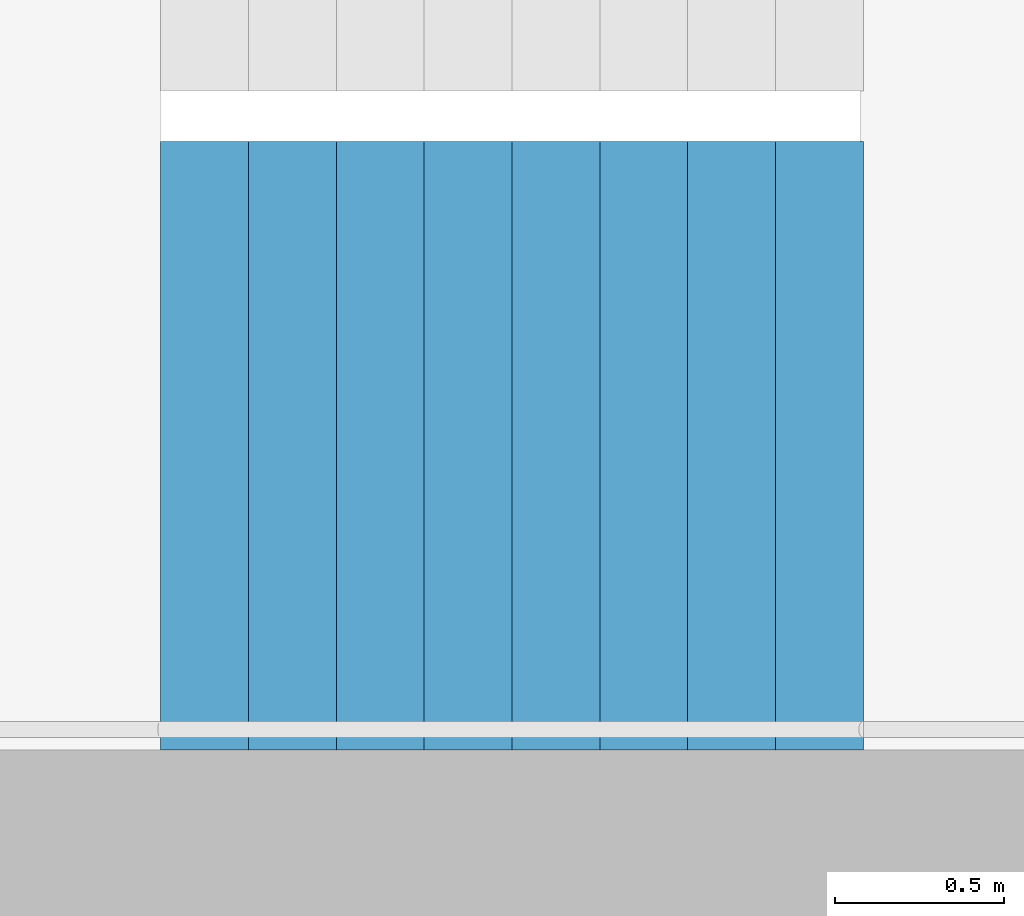
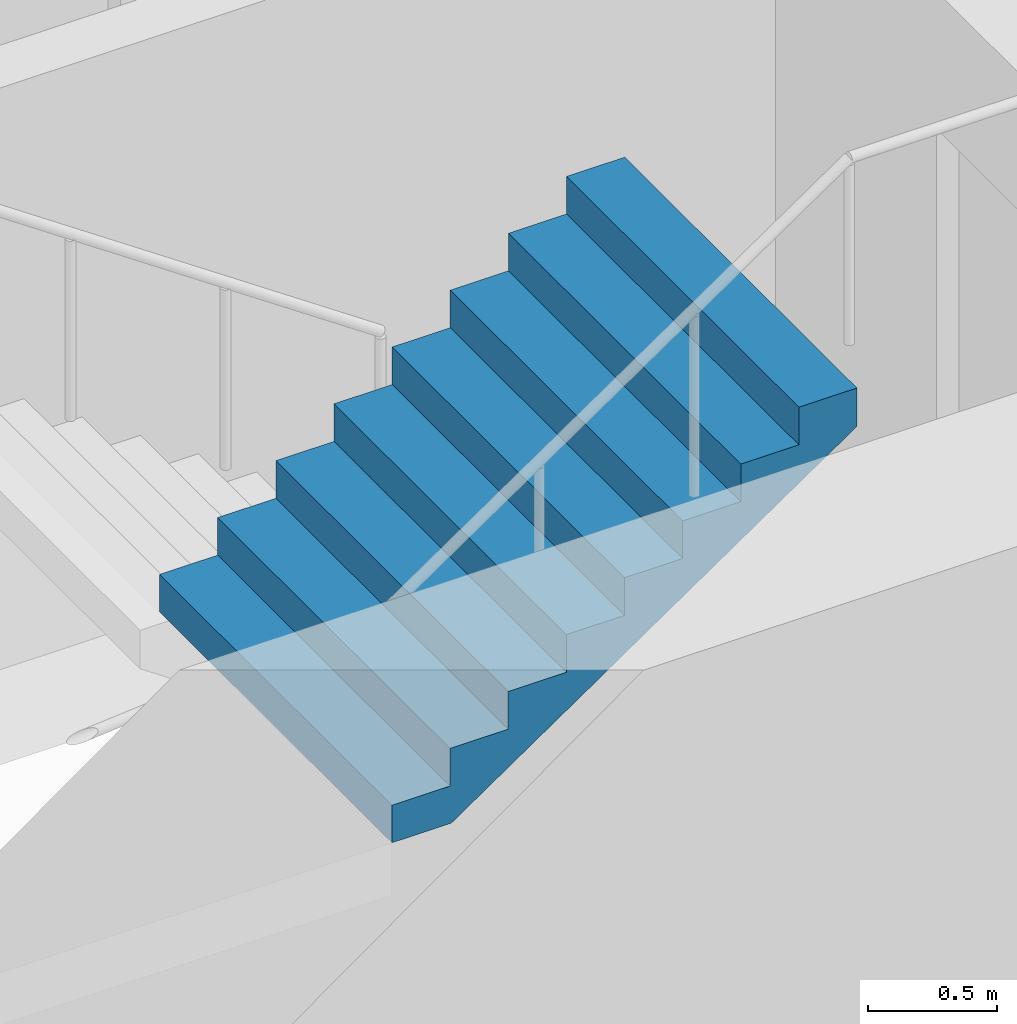
# One storey, part 18 of 26: 1 stair flight, 1 element without a shape of its own.
"""IFC4 building model written with IfcOpenShell, lengths in metres."""

from ifc_helpers import new_model, si_unit, direction, frame, origin, place, context, subcontext, project, spatial, triangles, material, type_object, element, aggregate, save


model = new_model("IFC4")

# Units and contexts
model_context = context("Model", 3, precision=1e-05, world=origin(), true_north=direction((0.0, 1.0)))
body_context = subcontext(model_context, "Body", "Model", "MODEL_VIEW")
ifc_project = project(units=[si_unit("LENGTHUNIT", "METRE"), si_unit("AREAUNIT", "SQUARE_METRE"), si_unit("VOLUMEUNIT", "CUBIC_METRE"), si_unit("PLANEANGLEUNIT", "RADIAN"), si_unit("MASSUNIT", "GRAM", prefix="KILO")], contexts=[model_context])

# Site, building, storey
site_placement = place(None, origin())
site = spatial("IfcSite", under=ifc_project, at=site_placement, CompositionType="ELEMENT")
building_placement = place(site_placement, origin())
building = spatial("IfcBuilding", under=site, at=building_placement, Name="Hakoniwa Tower and Hamabe Station Hall", CompositionType="ELEMENT")
storey_placement = place(building_placement, frame((0.0, 0.0, 215.39990234375)))
storey = spatial("IfcBuildingStorey", under=building, at=storey_placement, Name="L61", CompositionType="ELEMENT", Elevation=215.39990234375)

# Stair, stair flight
ifc_material_1 = material(Name="Concrete C40", Category="concrete")
stair_type = type_object("IfcStairType", Name="ESCAPE STAIR 1800", PredefinedType="HALF_TURN_STAIR", material=ifc_material_1)
stair_placement = place(storey_placement, origin())
stair = element("IfcStair", 1, at=stair_placement, inside=storey, type_object=stair_type, Name="Escape stair ST-2 L61", PredefinedType="HALF_TURN_STAIR")
ifc_material_2 = material(Name="Concrete C40", Category="concrete")
stair_flight_type = type_object("IfcStairFlightType", Name="STAIR FLIGHT 1800", PredefinedType="STRAIGHT", material=ifc_material_2)
stair_flight_placement = place(storey_placement, frame((-25.47998046875, -6.60009765625, 1.60009765625), z_axis=(0.0, 0.0, 1.0), x_axis=(1.0, 0.0, 0.0)))
stair_flight = element("IfcStairFlight", 2, at=stair_flight_placement, type_object=stair_flight_type, Name="ST-2 flight 2", NumberOfRisers=9, NumberOfTreads=8, PredefinedType="STRAIGHT", RiserHeight=0.177777778, TreadLength=0.26, context=body_context, shape_type="Tessellation", body=[
    triangles([(0.0, 0.89990234375, 0.0), (0.260009765625, 0.89990234375, 0.0), (0.265625, 0.89990234375, 0.0), (0.52001953125, 0.89990234375, 0.174072265625), (0.780029296875, 0.89990234375, 0.351806640625), (1.0400390625, 0.89990234375, 0.529541015625), (1.300048828125, 0.89990234375, 0.707275390625), (1.56005859375, 0.89990234375, 0.885009765625), (1.820068359375, 0.89990234375, 1.062744140625), (2.080078125, 0.89990234375, 1.24072265625), (2.080078125, 0.89990234375, 1.422119140625), (1.820068359375, 0.89990234375, 1.422119140625), (1.820068359375, 0.89990234375, 1.244384765625), (1.56005859375, 0.89990234375, 1.244384765625), (1.56005859375, 0.89990234375, 1.066650390625), (1.300048828125, 0.89990234375, 1.066650390625), (1.300048828125, 0.89990234375, 0.888916015625), (1.0400390625, 0.89990234375, 0.888916015625), (1.0400390625, 0.89990234375, 0.711181640625), (0.780029296875, 0.89990234375, 0.711181640625), (0.780029296875, 0.89990234375, 0.533447265625), (0.52001953125, 0.89990234375, 0.533447265625), (0.52001953125, 0.89990234375, 0.35546875), (0.265625, 0.89990234375, 0.35546875), (0.260009765625, 0.89990234375, 0.35546875), (0.260009765625, 0.89990234375, 0.177734375), (0.0, 0.89990234375, 0.177734375), (0.0, 0.06005859375, 0.0), (0.260009765625, 0.06005859375, 0.0), (0.265625, 0.06005859375, 0.0), (0.52001953125, 0.06005859375, 0.174072265625), (0.780029296875, 0.06005859375, 0.351806640625), (1.0400390625, 0.06005859375, 0.529541015625), (1.300048828125, 0.06005859375, 0.707275390625), (1.56005859375, 0.06005859375, 0.885009765625), (1.820068359375, 0.06005859375, 1.062744140625), (2.080078125, 0.06005859375, 1.24072265625), (2.080078125, 0.06005859375, 1.422119140625), (1.820068359375, 0.06005859375, 1.422119140625), (1.820068359375, 0.06005859375, 1.244384765625), (1.56005859375, 0.06005859375, 1.244384765625), (1.56005859375, 0.06005859375, 1.066650390625), (1.300048828125, 0.06005859375, 1.066650390625), (1.300048828125, 0.06005859375, 0.888916015625), (1.0400390625, 0.06005859375, 0.888916015625), (1.0400390625, 0.06005859375, 0.711181640625), (0.780029296875, 0.06005859375, 0.711181640625), (0.780029296875, 0.06005859375, 0.533447265625), (0.52001953125, 0.06005859375, 0.533447265625), (0.52001953125, 0.06005859375, 0.35546875), (0.265625, 0.06005859375, 0.35546875), (0.260009765625, 0.06005859375, 0.35546875), (0.260009765625, 0.06005859375, 0.177734375), (0.0, 0.06005859375, 0.177734375), (0.0, 0.04296875, 0.0), (0.260009765625, 0.04296875, 0.0), (0.265625, 0.04296875, 0.0), (0.52001953125, 0.04296875, 0.174072265625), (0.780029296875, 0.04296875, 0.351806640625), (1.0400390625, 0.04296875, 0.529541015625), (1.300048828125, 0.04296875, 0.707275390625), (1.56005859375, 0.04296875, 0.885009765625), (1.820068359375, 0.04296875, 1.062744140625), (2.080078125, 0.04296875, 1.24072265625), (2.080078125, 0.04296875, 1.422119140625), (1.820068359375, 0.04296875, 1.422119140625), (1.820068359375, 0.04296875, 1.244384765625), (1.56005859375, 0.04296875, 1.244384765625), (1.56005859375, 0.04296875, 1.066650390625), (1.300048828125, 0.04296875, 1.066650390625), (1.300048828125, 0.04296875, 0.888916015625), (1.0400390625, 0.04296875, 0.888916015625), (1.0400390625, 0.04296875, 0.711181640625), (0.780029296875, 0.04296875, 0.711181640625), (0.780029296875, 0.04296875, 0.533447265625), (0.52001953125, 0.04296875, 0.533447265625), (0.52001953125, 0.04296875, 0.35546875), (0.265625, 0.04296875, 0.35546875), (0.260009765625, 0.04296875, 0.35546875), (0.260009765625, 0.04296875, 0.177734375), (0.0, 0.04296875, 0.177734375), (0.0, 0.025634765625, 0.0), (0.260009765625, 0.025634765625, 0.0), (0.265625, 0.025634765625, 0.0), (0.52001953125, 0.025634765625, 0.174072265625), (0.780029296875, 0.025634765625, 0.351806640625), (1.0400390625, 0.025634765625, 0.529541015625), (1.300048828125, 0.025634765625, 0.707275390625), (1.56005859375, 0.025634765625, 0.885009765625), (1.820068359375, 0.025634765625, 1.062744140625), (2.080078125, 0.025634765625, 1.24072265625), (2.080078125, 0.025634765625, 1.422119140625), (1.820068359375, 0.025634765625, 1.422119140625), (1.820068359375, 0.025634765625, 1.244384765625), (1.56005859375, 0.025634765625, 1.244384765625), (1.56005859375, 0.025634765625, 1.066650390625), (1.300048828125, 0.025634765625, 1.066650390625), (1.300048828125, 0.025634765625, 0.888916015625), (1.0400390625, 0.025634765625, 0.888916015625), (1.0400390625, 0.025634765625, 0.711181640625), (0.780029296875, 0.025634765625, 0.711181640625), (0.780029296875, 0.025634765625, 0.533447265625), (0.52001953125, 0.025634765625, 0.533447265625), (0.52001953125, 0.025634765625, 0.35546875), (0.265625, 0.025634765625, 0.35546875), (0.260009765625, 0.025634765625, 0.35546875), (0.260009765625, 0.025634765625, 0.177734375), (0.0, 0.025634765625, 0.177734375), (0.0, 0.008544921875, 0.0), (0.260009765625, 0.008544921875, 0.0), (0.265625, 0.008544921875, 0.0), (0.52001953125, 0.008544921875, 0.174072265625), (0.780029296875, 0.008544921875, 0.351806640625), (1.0400390625, 0.008544921875, 0.529541015625), (1.300048828125, 0.008544921875, 0.707275390625), (1.56005859375, 0.008544921875, 0.885009765625), (1.820068359375, 0.008544921875, 1.062744140625), (2.080078125, 0.008544921875, 1.24072265625), (2.080078125, 0.008544921875, 1.422119140625), (1.820068359375, 0.008544921875, 1.422119140625), (1.820068359375, 0.008544921875, 1.244384765625), (1.56005859375, 0.008544921875, 1.244384765625), (1.56005859375, 0.008544921875, 1.066650390625), (1.300048828125, 0.008544921875, 1.066650390625), (1.300048828125, 0.008544921875, 0.888916015625), (1.0400390625, 0.008544921875, 0.888916015625), (1.0400390625, 0.008544921875, 0.711181640625), (0.780029296875, 0.008544921875, 0.711181640625), (0.780029296875, 0.008544921875, 0.533447265625), (0.52001953125, 0.008544921875, 0.533447265625), (0.52001953125, 0.008544921875, 0.35546875), (0.265625, 0.008544921875, 0.35546875), (0.260009765625, 0.008544921875, 0.35546875), (0.260009765625, 0.008544921875, 0.177734375), (0.0, 0.008544921875, 0.177734375), (0.0, -0.008544921875, 0.0), (0.260009765625, -0.008544921875, 0.0), (0.265625, -0.008544921875, 0.0), (0.52001953125, -0.008544921875, 0.174072265625), (0.780029296875, -0.008544921875, 0.351806640625), (1.0400390625, -0.008544921875, 0.529541015625), (1.300048828125, -0.008544921875, 0.707275390625), (1.56005859375, -0.008544921875, 0.885009765625), (1.820068359375, -0.008544921875, 1.062744140625), (2.080078125, -0.008544921875, 1.24072265625), (2.080078125, -0.008544921875, 1.422119140625), (1.820068359375, -0.008544921875, 1.422119140625), (1.820068359375, -0.008544921875, 1.244384765625), (1.56005859375, -0.008544921875, 1.244384765625), (1.56005859375, -0.008544921875, 1.066650390625), (1.300048828125, -0.008544921875, 1.066650390625), (1.300048828125, -0.008544921875, 0.888916015625), (1.0400390625, -0.008544921875, 0.888916015625), (1.0400390625, -0.008544921875, 0.711181640625), (0.780029296875, -0.008544921875, 0.711181640625), (0.780029296875, -0.008544921875, 0.533447265625), (0.52001953125, -0.008544921875, 0.533447265625), (0.52001953125, -0.008544921875, 0.35546875), (0.265625, -0.008544921875, 0.35546875), (0.260009765625, -0.008544921875, 0.35546875), (0.260009765625, -0.008544921875, 0.177734375), (0.0, -0.008544921875, 0.177734375), (0.0, -0.025634765625, 0.0), (0.260009765625, -0.025634765625, 0.0), (0.265625, -0.025634765625, 0.0), (0.52001953125, -0.025634765625, 0.174072265625), (0.780029296875, -0.025634765625, 0.351806640625), (1.0400390625, -0.025634765625, 0.529541015625), (1.300048828125, -0.025634765625, 0.707275390625), (1.56005859375, -0.025634765625, 0.885009765625), (1.820068359375, -0.025634765625, 1.062744140625), (2.080078125, -0.025634765625, 1.24072265625), (2.080078125, -0.025634765625, 1.422119140625), (1.820068359375, -0.025634765625, 1.422119140625), (1.820068359375, -0.025634765625, 1.244384765625), (1.56005859375, -0.025634765625, 1.244384765625), (1.56005859375, -0.025634765625, 1.066650390625), (1.300048828125, -0.025634765625, 1.066650390625), (1.300048828125, -0.025634765625, 0.888916015625), (1.0400390625, -0.025634765625, 0.888916015625), (1.0400390625, -0.025634765625, 0.711181640625), (0.780029296875, -0.025634765625, 0.711181640625), (0.780029296875, -0.025634765625, 0.533447265625), (0.52001953125, -0.025634765625, 0.533447265625), (0.52001953125, -0.025634765625, 0.35546875), (0.265625, -0.025634765625, 0.35546875), (0.260009765625, -0.025634765625, 0.35546875), (0.260009765625, -0.025634765625, 0.177734375), (0.0, -0.025634765625, 0.177734375), (0.0, -0.04296875, 0.0), (0.260009765625, -0.04296875, 0.0), (0.265625, -0.04296875, 0.0), (0.52001953125, -0.04296875, 0.174072265625), (0.780029296875, -0.04296875, 0.351806640625), (1.0400390625, -0.04296875, 0.529541015625), (1.300048828125, -0.04296875, 0.707275390625), (1.56005859375, -0.04296875, 0.885009765625), (1.820068359375, -0.04296875, 1.062744140625), (2.080078125, -0.04296875, 1.24072265625), (2.080078125, -0.04296875, 1.422119140625), (1.820068359375, -0.04296875, 1.422119140625), (1.820068359375, -0.04296875, 1.244384765625), (1.56005859375, -0.04296875, 1.244384765625), (1.56005859375, -0.04296875, 1.066650390625), (1.300048828125, -0.04296875, 1.066650390625), (1.300048828125, -0.04296875, 0.888916015625), (1.0400390625, -0.04296875, 0.888916015625), (1.0400390625, -0.04296875, 0.711181640625), (0.780029296875, -0.04296875, 0.711181640625), (0.780029296875, -0.04296875, 0.533447265625), (0.52001953125, -0.04296875, 0.533447265625), (0.52001953125, -0.04296875, 0.35546875), (0.265625, -0.04296875, 0.35546875), (0.260009765625, -0.04296875, 0.35546875), (0.260009765625, -0.04296875, 0.177734375), (0.0, -0.04296875, 0.177734375), (0.0, -0.06005859375, 0.0), (0.260009765625, -0.06005859375, 0.0), (0.265625, -0.06005859375, 0.0), (0.52001953125, -0.06005859375, 0.174072265625), (0.780029296875, -0.06005859375, 0.351806640625), (1.0400390625, -0.06005859375, 0.529541015625), (1.300048828125, -0.06005859375, 0.707275390625), (1.56005859375, -0.06005859375, 0.885009765625), (1.820068359375, -0.06005859375, 1.062744140625), (2.080078125, -0.06005859375, 1.24072265625), (2.080078125, -0.06005859375, 1.422119140625), (1.820068359375, -0.06005859375, 1.422119140625), (1.820068359375, -0.06005859375, 1.244384765625), (1.56005859375, -0.06005859375, 1.244384765625), (1.56005859375, -0.06005859375, 1.066650390625), (1.300048828125, -0.06005859375, 1.066650390625), (1.300048828125, -0.06005859375, 0.888916015625), (1.0400390625, -0.06005859375, 0.888916015625), (1.0400390625, -0.06005859375, 0.711181640625), (0.780029296875, -0.06005859375, 0.711181640625), (0.780029296875, -0.06005859375, 0.533447265625), (0.52001953125, -0.06005859375, 0.533447265625), (0.52001953125, -0.06005859375, 0.35546875), (0.265625, -0.06005859375, 0.35546875), (0.260009765625, -0.06005859375, 0.35546875), (0.260009765625, -0.06005859375, 0.177734375), (0.0, -0.06005859375, 0.177734375), (0.0, -0.89990234375, 0.0), (0.260009765625, -0.89990234375, 0.0), (0.265625, -0.89990234375, 0.0), (0.52001953125, -0.89990234375, 0.174072265625), (0.780029296875, -0.89990234375, 0.351806640625), (1.0400390625, -0.89990234375, 0.529541015625), (1.300048828125, -0.89990234375, 0.707275390625), (1.56005859375, -0.89990234375, 0.885009765625), (1.820068359375, -0.89990234375, 1.062744140625), (2.080078125, -0.89990234375, 1.24072265625), (2.080078125, -0.89990234375, 1.422119140625), (1.820068359375, -0.89990234375, 1.422119140625), (1.820068359375, -0.89990234375, 1.244384765625), (1.56005859375, -0.89990234375, 1.244384765625), (1.56005859375, -0.89990234375, 1.066650390625), (1.300048828125, -0.89990234375, 1.066650390625), (1.300048828125, -0.89990234375, 0.888916015625), (1.0400390625, -0.89990234375, 0.888916015625), (1.0400390625, -0.89990234375, 0.711181640625), (0.780029296875, -0.89990234375, 0.711181640625), (0.780029296875, -0.89990234375, 0.533447265625), (0.52001953125, -0.89990234375, 0.533447265625), (0.52001953125, -0.89990234375, 0.35546875), (0.265625, -0.89990234375, 0.35546875), (0.260009765625, -0.89990234375, 0.35546875), (0.260009765625, -0.89990234375, 0.177734375), (0.0, -0.89990234375, 0.177734375)], [[2, 27, 26], [245, 269, 270], [2, 1, 27], [245, 270, 244], [3, 25, 24], [246, 267, 268], [3, 26, 25], [246, 268, 269], [3, 2, 26], [246, 269, 245], [4, 24, 23], [247, 266, 267], [4, 3, 24], [247, 267, 246], [5, 22, 21], [248, 264, 265], [5, 23, 22], [248, 265, 266], [5, 4, 23], [248, 266, 247], [6, 20, 19], [249, 262, 263], [6, 21, 20], [249, 263, 264], [6, 5, 21], [249, 264, 248], [7, 18, 17], [250, 260, 261], [7, 19, 18], [250, 261, 262], [7, 6, 19], [250, 262, 249], [8, 16, 15], [251, 258, 259], [8, 17, 16], [251, 259, 260], [8, 7, 17], [251, 260, 250], [9, 14, 13], [252, 256, 257], [9, 15, 14], [252, 257, 258], [9, 8, 15], [252, 258, 251], [10, 12, 11], [253, 254, 255], [10, 13, 12], [253, 255, 256], [10, 9, 13], [253, 256, 252], [1, 2, 29], [1, 29, 28], [28, 29, 56], [28, 56, 55], [55, 56, 83], [55, 83, 82], [82, 83, 110], [82, 110, 109], [109, 110, 137], [109, 137, 136], [136, 137, 164], [136, 164, 163], [163, 164, 191], [163, 191, 190], [190, 191, 218], [190, 218, 217], [217, 218, 245], [217, 245, 244], [2, 3, 30], [2, 30, 29], [29, 30, 57], [29, 57, 56], [56, 57, 84], [56, 84, 83], [83, 84, 111], [83, 111, 110], [110, 111, 138], [110, 138, 137], [137, 138, 165], [137, 165, 164], [164, 165, 192], [164, 192, 191], [191, 192, 219], [191, 219, 218], [218, 219, 246], [218, 246, 245], [3, 4, 31], [3, 31, 30], [30, 31, 58], [30, 58, 57], [57, 58, 85], [57, 85, 84], [84, 85, 112], [84, 112, 111], [111, 112, 139], [111, 139, 138], [138, 139, 166], [138, 166, 165], [165, 166, 193], [165, 193, 192], [192, 193, 220], [192, 220, 219], [219, 220, 247], [219, 247, 246], [4, 5, 32], [4, 32, 31], [31, 32, 59], [31, 59, 58], [58, 59, 86], [58, 86, 85], [85, 86, 113], [85, 113, 112], [112, 113, 140], [112, 140, 139], [139, 140, 167], [139, 167, 166], [166, 167, 194], [166, 194, 193], [193, 194, 221], [193, 221, 220], [220, 221, 248], [220, 248, 247], [5, 6, 33], [5, 33, 32], [32, 33, 60], [32, 60, 59], [59, 60, 87], [59, 87, 86], [86, 87, 114], [86, 114, 113], [113, 114, 141], [113, 141, 140], [140, 141, 168], [140, 168, 167], [167, 168, 195], [167, 195, 194], [194, 195, 222], [194, 222, 221], [221, 222, 249], [221, 249, 248], [6, 7, 34], [6, 34, 33], [33, 34, 61], [33, 61, 60], [60, 61, 88], [60, 88, 87], [87, 88, 115], [87, 115, 114], [114, 115, 142], [114, 142, 141], [141, 142, 169], [141, 169, 168], [168, 169, 196], [168, 196, 195], [195, 196, 223], [195, 223, 222], [222, 223, 250], [222, 250, 249], [7, 8, 35], [7, 35, 34], [34, 35, 62], [34, 62, 61], [61, 62, 89], [61, 89, 88], [88, 89, 116], [88, 116, 115], [115, 116, 143], [115, 143, 142], [142, 143, 170], [142, 170, 169], [169, 170, 197], [169, 197, 196], [196, 197, 224], [196, 224, 223], [223, 224, 251], [223, 251, 250], [8, 9, 36], [8, 36, 35], [35, 36, 63], [35, 63, 62], [62, 63, 90], [62, 90, 89], [89, 90, 117], [89, 117, 116], [116, 117, 144], [116, 144, 143], [143, 144, 171], [143, 171, 170], [170, 171, 198], [170, 198, 197], [197, 198, 225], [197, 225, 224], [224, 225, 252], [224, 252, 251], [9, 10, 37], [9, 37, 36], [36, 37, 64], [36, 64, 63], [63, 64, 91], [63, 91, 90], [90, 91, 118], [90, 118, 117], [117, 118, 145], [117, 145, 144], [144, 145, 172], [144, 172, 171], [171, 172, 199], [171, 199, 198], [198, 199, 226], [198, 226, 225], [225, 226, 253], [225, 253, 252], [10, 11, 38], [10, 38, 37], [37, 38, 65], [37, 65, 64], [64, 65, 92], [64, 92, 91], [91, 92, 119], [91, 119, 118], [118, 119, 146], [118, 146, 145], [145, 146, 173], [145, 173, 172], [172, 173, 200], [172, 200, 199], [199, 200, 227], [199, 227, 226], [226, 227, 254], [226, 254, 253], [11, 12, 39], [11, 39, 38], [38, 39, 66], [38, 66, 65], [65, 66, 93], [65, 93, 92], [92, 93, 120], [92, 120, 119], [119, 120, 147], [119, 147, 146], [146, 147, 174], [146, 174, 173], [173, 174, 201], [173, 201, 200], [200, 201, 228], [200, 228, 227], [227, 228, 255], [227, 255, 254], [12, 13, 40], [12, 40, 39], [39, 40, 67], [39, 67, 66], [66, 67, 94], [66, 94, 93], [93, 94, 121], [93, 121, 120], [120, 121, 148], [120, 148, 147], [147, 148, 175], [147, 175, 174], [174, 175, 202], [174, 202, 201], [201, 202, 229], [201, 229, 228], [228, 229, 256], [228, 256, 255], [13, 14, 41], [13, 41, 40], [40, 41, 68], [40, 68, 67], [67, 68, 95], [67, 95, 94], [94, 95, 122], [94, 122, 121], [121, 122, 149], [121, 149, 148], [148, 149, 176], [148, 176, 175], [175, 176, 203], [175, 203, 202], [202, 203, 230], [202, 230, 229], [229, 230, 257], [229, 257, 256], [14, 15, 42], [14, 42, 41], [41, 42, 69], [41, 69, 68], [68, 69, 96], [68, 96, 95], [95, 96, 123], [95, 123, 122], [122, 123, 150], [122, 150, 149], [149, 150, 177], [149, 177, 176], [176, 177, 204], [176, 204, 203], [203, 204, 231], [203, 231, 230], [230, 231, 258], [230, 258, 257], [15, 16, 43], [15, 43, 42], [42, 43, 70], [42, 70, 69], [69, 70, 97], [69, 97, 96], [96, 97, 124], [96, 124, 123], [123, 124, 151], [123, 151, 150], [150, 151, 178], [150, 178, 177], [177, 178, 205], [177, 205, 204], [204, 205, 232], [204, 232, 231], [231, 232, 259], [231, 259, 258], [16, 17, 44], [16, 44, 43], [43, 44, 71], [43, 71, 70], [70, 71, 98], [70, 98, 97], [97, 98, 125], [97, 125, 124], [124, 125, 152], [124, 152, 151], [151, 152, 179], [151, 179, 178], [178, 179, 206], [178, 206, 205], [205, 206, 233], [205, 233, 232], [232, 233, 260], [232, 260, 259], [17, 18, 45], [17, 45, 44], [44, 45, 72], [44, 72, 71], [71, 72, 99], [71, 99, 98], [98, 99, 126], [98, 126, 125], [125, 126, 153], [125, 153, 152], [152, 153, 180], [152, 180, 179], [179, 180, 207], [179, 207, 206], [206, 207, 234], [206, 234, 233], [233, 234, 261], [233, 261, 260], [18, 19, 46], [18, 46, 45], [45, 46, 73], [45, 73, 72], [72, 73, 100], [72, 100, 99], [99, 100, 127], [99, 127, 126], [126, 127, 154], [126, 154, 153], [153, 154, 181], [153, 181, 180], [180, 181, 208], [180, 208, 207], [207, 208, 235], [207, 235, 234], [234, 235, 262], [234, 262, 261], [19, 20, 47], [19, 47, 46], [46, 47, 74], [46, 74, 73], [73, 74, 101], [73, 101, 100], [100, 101, 128], [100, 128, 127], [127, 128, 155], [127, 155, 154], [154, 155, 182], [154, 182, 181], [181, 182, 209], [181, 209, 208], [208, 209, 236], [208, 236, 235], [235, 236, 263], [235, 263, 262], [20, 21, 48], [20, 48, 47], [47, 48, 75], [47, 75, 74], [74, 75, 102], [74, 102, 101], [101, 102, 129], [101, 129, 128], [128, 129, 156], [128, 156, 155], [155, 156, 183], [155, 183, 182], [182, 183, 210], [182, 210, 209], [209, 210, 237], [209, 237, 236], [236, 237, 264], [236, 264, 263], [21, 22, 49], [21, 49, 48], [48, 49, 76], [48, 76, 75], [75, 76, 103], [75, 103, 102], [102, 103, 130], [102, 130, 129], [129, 130, 157], [129, 157, 156], [156, 157, 184], [156, 184, 183], [183, 184, 211], [183, 211, 210], [210, 211, 238], [210, 238, 237], [237, 238, 265], [237, 265, 264], [22, 23, 50], [22, 50, 49], [49, 50, 77], [49, 77, 76], [76, 77, 104], [76, 104, 103], [103, 104, 131], [103, 131, 130], [130, 131, 158], [130, 158, 157], [157, 158, 185], [157, 185, 184], [184, 185, 212], [184, 212, 211], [211, 212, 239], [211, 239, 238], [238, 239, 266], [238, 266, 265], [23, 24, 51], [23, 51, 50], [50, 51, 78], [50, 78, 77], [77, 78, 105], [77, 105, 104], [104, 105, 132], [104, 132, 131], [131, 132, 159], [131, 159, 158], [158, 159, 186], [158, 186, 185], [185, 186, 213], [185, 213, 212], [212, 213, 240], [212, 240, 239], [239, 240, 267], [239, 267, 266], [24, 25, 52], [24, 52, 51], [51, 52, 79], [51, 79, 78], [78, 79, 106], [78, 106, 105], [105, 106, 133], [105, 133, 132], [132, 133, 160], [132, 160, 159], [159, 160, 187], [159, 187, 186], [186, 187, 214], [186, 214, 213], [213, 214, 241], [213, 241, 240], [240, 241, 268], [240, 268, 267], [25, 26, 53], [25, 53, 52], [52, 53, 80], [52, 80, 79], [79, 80, 107], [79, 107, 106], [106, 107, 134], [106, 134, 133], [133, 134, 161], [133, 161, 160], [160, 161, 188], [160, 188, 187], [187, 188, 215], [187, 215, 214], [214, 215, 242], [214, 242, 241], [241, 242, 269], [241, 269, 268], [26, 27, 54], [26, 54, 53], [53, 54, 81], [53, 81, 80], [80, 81, 108], [80, 108, 107], [107, 108, 135], [107, 135, 134], [134, 135, 162], [134, 162, 161], [161, 162, 189], [161, 189, 188], [188, 189, 216], [188, 216, 215], [215, 216, 243], [215, 243, 242], [242, 243, 270], [242, 270, 269], [27, 1, 28], [27, 28, 54], [54, 28, 55], [54, 55, 81], [81, 55, 82], [81, 82, 108], [108, 82, 109], [108, 109, 135], [135, 109, 136], [135, 136, 162], [162, 136, 163], [162, 163, 189], [189, 163, 190], [189, 190, 216], [216, 190, 217], [216, 217, 243], [243, 217, 244], [243, 244, 270]], closed=True),
])
aggregate(stair, [stair_flight])

save(model, "model.ifc")
